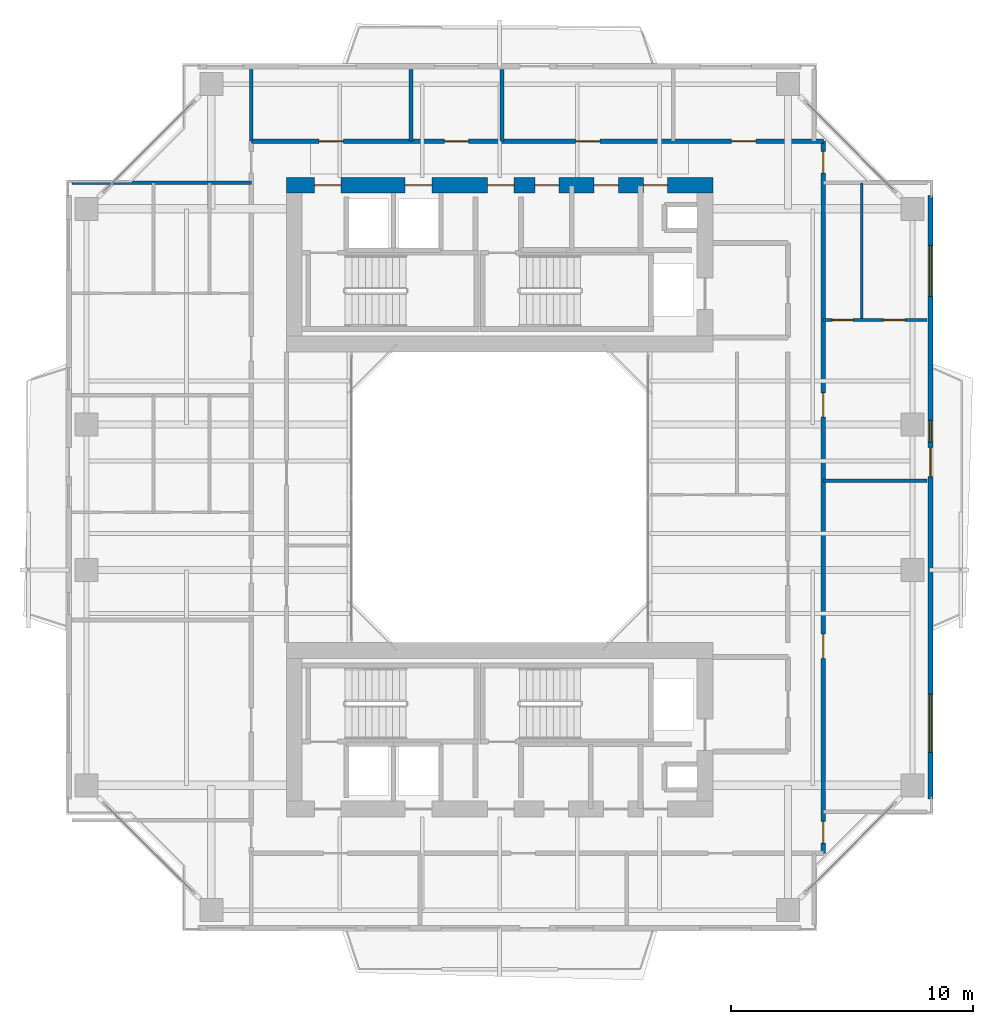
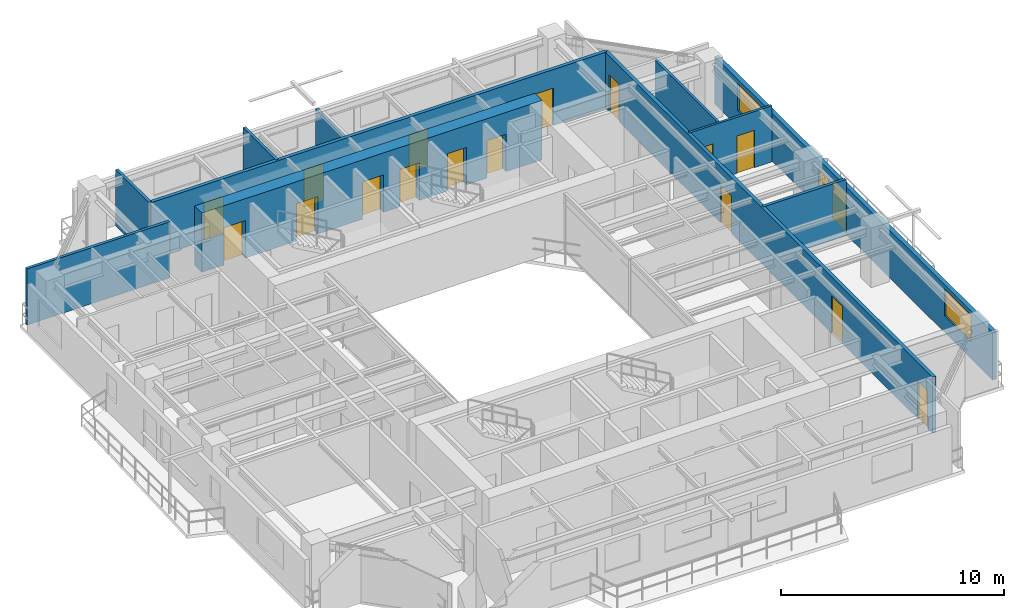
# One storey, part 13 of 17: 17 doors, 11 walls, 3 windows, 20 openings.
"""IFC4 building model written with IfcOpenShell, lengths in metres."""

import ifcopenshell
import ifcopenshell.guid

model = None  # the IFC model being written
_history = None  # IfcOwnerHistory: only IFC2X3 demands one
_inside = {}  # id of a spatial element -> (the spatial element, [elements in it])
_under = {}  # id of a project, library or spatial element -> (it, [spatial elements below it])
_declared = {}  # id of a project -> (the project, [libraries it declares])
_typed = {}  # id of a type object -> (the type object, [elements of that type])
_made_of = {}  # id of a material, layer set ... -> (it, [elements and type objects made of it])


def new_model(schema):
    """Start an empty IFC model of exactly this schema.

    Asked for "IFC4X3", IfcOpenShell would pick the latest addendum, in which some entities
    have other attributes; the version numbers below select the first issue.
    IFC2X3 requires an IfcOwnerHistory on every rooted entity: one is made here for all.
    """
    global model, _history
    if schema == "IFC4X3":
        model = ifcopenshell.file(schema_version=(4, 3, 0, 0))
    else:
        model = ifcopenshell.file(schema=schema)
    _inside.clear()
    _under.clear()
    _declared.clear()
    _typed.clear()
    _made_of.clear()
    _history = None
    if model.schema == "IFC2X3":
        org = make("IfcOrganization", Name="unknown")
        user = make(
            "IfcPersonAndOrganization",
            ThePerson=make("IfcPerson", FamilyName="unknown"),
            TheOrganization=org,
        )
        app = make(
            "IfcApplication",
            ApplicationDeveloper=org,
            Version="unknown",
            ApplicationFullName="unknown",
            ApplicationIdentifier="unknown",
        )
        _history = make(
            "IfcOwnerHistory",
            OwningUser=user,
            OwningApplication=app,
            ChangeAction="ADDED",
            CreationDate=0,
        )
    return model


def make(cls, **values):
    """One entity of the class cls with the attributes given. An attribute that is None is left unset."""
    return model.create_entity(
        cls, **{name: value for name, value in values.items() if value is not None}
    )


def rooted(cls, **values):
    """An entity with a GlobalId (a new one), such as an element, a storey or a relation."""
    return make(cls, GlobalId=ifcopenshell.guid.new(), OwnerHistory=_history, **values)


def si_unit(unit_type, name, prefix=None):
    """IfcSIUnit, for example si_unit("LENGTHUNIT", "METRE", prefix="MILLI")."""
    return make("IfcSIUnit", UnitType=unit_type, Prefix=prefix, Name=name)


def assignment(units):
    """IfcUnitAssignment: the units of a project."""
    return None if units is None else make("IfcUnitAssignment", Units=units)


def point(xyz):
    """IfcCartesianPoint."""
    return None if xyz is None else make("IfcCartesianPoint", Coordinates=xyz)


def direction(xyz):
    """IfcDirection."""
    return None if xyz is None else make("IfcDirection", DirectionRatios=xyz)


def frame(location, z_axis=None, x_axis=None):
    """IfcAxis2Placement3D, a coordinate frame: its origin and axes. An axis left out is left unset."""
    return make(
        "IfcAxis2Placement3D",
        Location=point(location),
        Axis=direction(z_axis),
        RefDirection=direction(x_axis),
    )


def frame_2d(location, x_axis=None):
    """IfcAxis2Placement2D, a coordinate frame in the plane: its origin and x axis."""
    return make(
        "IfcAxis2Placement2D", Location=point(location), RefDirection=direction(x_axis)
    )


def origin():
    """The frame at (0, 0, 0) with its axes left unset."""
    return frame((0.0, 0.0, 0.0))


def place(relative_to, where):
    """IfcLocalPlacement: puts the frame where relative to a parent placement (None: the world)."""
    return make(
        "IfcLocalPlacement", PlacementRelTo=relative_to, RelativePlacement=where
    )


def context(
    kind, dimensions, precision=None, world=None, true_north=None, identifier=None
):
    """IfcGeometricRepresentationContext, for example the 3D "Model" context."""
    return make(
        "IfcGeometricRepresentationContext",
        ContextIdentifier=identifier,
        ContextType=kind,
        CoordinateSpaceDimension=dimensions,
        Precision=precision,
        WorldCoordinateSystem=world,
        TrueNorth=true_north,
    )


def subcontext(parent, identifier, kind, view, scale=None):
    """IfcGeometricRepresentationSubContext, for example "Body" below "Model"."""
    return make(
        "IfcGeometricRepresentationSubContext",
        ContextIdentifier=identifier,
        ContextType=kind,
        ParentContext=parent,
        TargetScale=scale,
        TargetView=view,
    )


def project(units=None, contexts=None):
    """IfcProject with its units and contexts."""
    return rooted(
        "IfcProject",
        Name="project",
        RepresentationContexts=contexts,
        UnitsInContext=assignment(units),
    )


def spatial(cls, under=None, at=None, **own):
    """A site, building, storey or space (cls), placed at a placement, below another one or the project."""
    s = rooted(cls, ObjectPlacement=at, **own)
    if under is not None:
        _under.setdefault(under.id(), (under, []))[1].append(s)
    return s


def profile(cls, at=None, kind="AREA", **sizes):
    """A parametric profile (cls). Its sizes go by their IFC names, for example OverallWidth=200.0."""
    return make(cls, ProfileType=kind, Position=at, **sizes)


def rectangle(**sizes):
    """IfcRectangleProfileDef."""
    return profile("IfcRectangleProfileDef", **sizes)


def extrude(swept, where, along, depth):
    """IfcExtrudedAreaSolid: the profile swept, set in the frame where, extruded along a direction by depth."""
    return make(
        "IfcExtrudedAreaSolid",
        SweptArea=swept,
        Position=where,
        ExtrudedDirection=direction(along),
        Depth=depth,
    )


def shape(context_of_items, identifier, shape_type, items):
    """IfcShapeRepresentation: the items that make up one representation, for example the "Body"."""
    return make(
        "IfcShapeRepresentation",
        ContextOfItems=context_of_items,
        RepresentationIdentifier=identifier,
        RepresentationType=shape_type,
        Items=items,
    )


def source(mapping_origin, context_of_items, identifier, shape_type, items):
    """IfcRepresentationMap: a shape defined once, which mapped items show again and again."""
    return make(
        "IfcRepresentationMap",
        MappingOrigin=mapping_origin,
        MappedRepresentation=shape(context_of_items, identifier, shape_type, items),
    )


def transform(
    local_origin,
    x_axis=None,
    y_axis=None,
    z_axis=None,
    scale=None,
    scale2=None,
    scale3=None,
    uniform=True,
):
    """IfcCartesianTransformationOperator3D, or its non-uniform kind. x_axis, y_axis, z_axis: its Axis1, 2, 3."""
    if uniform:
        return make(
            "IfcCartesianTransformationOperator3D",
            Axis1=direction(x_axis),
            Axis2=direction(y_axis),
            LocalOrigin=point(local_origin),
            Scale=scale,
            Axis3=direction(z_axis),
        )
    return make(
        "IfcCartesianTransformationOperator3DnonUniform",
        Axis1=direction(x_axis),
        Axis2=direction(y_axis),
        LocalOrigin=point(local_origin),
        Scale=scale,
        Axis3=direction(z_axis),
        Scale2=scale2,
        Scale3=scale3,
    )


def mapped(mapping_source, mapping_target):
    """IfcMappedItem: shows the shape of a source again, moved by a transform."""
    return make(
        "IfcMappedItem", MappingSource=mapping_source, MappingTarget=mapping_target
    )


def material(Name=None, Category=None):
    """IfcMaterial."""
    return make("IfcMaterial", Name=Name, Category=Category)


def layer(
    of_material, thickness, ventilated=None, Name=None, Category=None, Priority=None
):
    """IfcMaterialLayer: one layer of a wall or slab, of a material (None: an air gap)."""
    return make(
        "IfcMaterialLayer",
        Material=of_material,
        LayerThickness=thickness,
        IsVentilated=ventilated,
        Name=Name,
        Category=Category,
        Priority=Priority,
    )


def layer_set(layers, Name=None):
    """IfcMaterialLayerSet."""
    return make("IfcMaterialLayerSet", MaterialLayers=layers, LayerSetName=Name)


def made_of(thing, what):
    """Note that an element or type object is made of a material, layer set ...; save() writes the relation."""
    if what is not None:
        _made_of.setdefault(what.id(), (what, []))[1].append(thing)
    return thing


def type_object(cls, material=None, **own):
    """A type object (cls), such as IfcWallType, which elements share."""
    return made_of(rooted(cls, **own), material)


def element(
    cls,
    number,
    at=None,
    inside=None,
    cuts=None,
    type_object=None,
    material=None,
    context=None,
    identifier="Body",
    shape_type=None,
    held_by="IfcProductDefinitionShape",
    body=None,
    shapes=None,
    **own,
):
    """One element of the class cls, such as IfcWall. Its Tag is "e" and its number.

    at: its placement. inside: the storey or other place that contains it. cuts: it is an
    opening in that element (IfcRelVoidsElement). A single representation is given by context,
    identifier, shape_type and body (its items); several are given by shapes. held_by: the class
    of the entity that holds the representations. save() writes the other relations.
    """
    e = rooted(cls, Tag="e%d" % number, ObjectPlacement=at, **own)
    if body is not None:
        shapes = [shape(context, identifier, shape_type, body)]
    if shapes is not None:
        e.Representation = make(held_by, Representations=shapes)
    if inside is not None:
        _inside.setdefault(inside.id(), (inside, []))[1].append(e)
    if cuts is not None:
        rooted(
            "IfcRelVoidsElement", RelatingBuildingElement=cuts, RelatedOpeningElement=e
        )
    if type_object is not None:
        _typed.setdefault(type_object.id(), (type_object, []))[1].append(e)
    return made_of(e, material)


def fill(opening, filler):
    """IfcRelFillsElement: the door or window that sits in an opening."""
    return rooted(
        "IfcRelFillsElement",
        RelatingOpeningElement=opening,
        RelatedBuildingElement=filler,
    )


def aggregate(whole, parts):
    """IfcRelAggregates: a whole, such as a stair, and the parts it consists of."""
    return rooted("IfcRelAggregates", RelatingObject=whole, RelatedObjects=parts)


def save(model, path):
    """Write the relations noted so far, then the file.

    IfcRelAggregates (storeys below a building ...), IfcRelContainedInSpatialStructure (elements
    in a storey), IfcRelDefinesByType, IfcRelAssociatesMaterial and IfcRelDeclares: one each for
    every whole, place, type object, material and project.
    """
    for whole, parts in _under.values():
        aggregate(whole, parts)
    for where, things in _inside.values():
        rooted(
            "IfcRelContainedInSpatialStructure",
            RelatedElements=things,
            RelatingStructure=where,
        )
    for kind, things in _typed.values():
        rooted("IfcRelDefinesByType", RelatedObjects=things, RelatingType=kind)
    for what, things in _made_of.values():
        rooted("IfcRelAssociatesMaterial", RelatedObjects=things, RelatingMaterial=what)
    for by, libraries in _declared.values():
        rooted("IfcRelDeclares", RelatingContext=by, RelatedDefinitions=libraries)
    model.write(path)


model = new_model("IFC4")

# Units and contexts
model_context = context("Model", 3, precision=1e-05, world=origin(), true_north=direction((0.0, 1.0)))
body_context = subcontext(model_context, "Body", "Model", "MODEL_VIEW")
ifc_project = project(units=[si_unit("LENGTHUNIT", "METRE"), si_unit("AREAUNIT", "SQUARE_METRE"), si_unit("VOLUMEUNIT", "CUBIC_METRE"), si_unit("PLANEANGLEUNIT", "RADIAN"), si_unit("MASSUNIT", "GRAM", prefix="KILO"), si_unit("THERMODYNAMICTEMPERATUREUNIT", "KELVIN"), si_unit("POWERUNIT", "WATT")], contexts=[model_context])

# Site, building, storey
site_placement = place(None, origin())
site = spatial("IfcSite", under=ifc_project, at=site_placement, CompositionType="ELEMENT")
building_placement = place(site_placement, origin())
building = spatial("IfcBuilding", under=site, at=building_placement, Name="Qiaomeng Ring Towers", CompositionType="ELEMENT")
storey_placement = place(building_placement, frame((0.0, 0.0, 150.25)))
storey = spatial("IfcBuildingStorey", under=building, at=storey_placement, Name="L43", CompositionType="ELEMENT", Elevation=150.25)

# Wall, openings, windows, door
ifc_material_1 = material(Name="Precast concrete C40", Category="concrete")
ifc_layer_1 = layer(ifc_material_1, 0.219970703125, Name="Precast concrete C40")
ifc_layer_set_1 = layer_set([ifc_layer_1], Name="Precast concrete C40")
wall_type_1 = type_object("IfcWallType", Name="ARC-WL-EW2", PredefinedType="STANDARD", material=ifc_layer_set_1)
wall_1_placement = place(storey_placement, frame((36.7900390625, 10.550048828125, 0.0), z_axis=(0.0, 0.0, 1.0), x_axis=(0.0, 1.0, 0.0)))
wall_1 = element("IfcWall", 1, at=wall_1_placement, inside=storey, type_object=wall_type_1, Name="L43 Tower 1 E Exterior Wall", PredefinedType="STANDARD", context=body_context, shape_type="SweptSolid", body=[
    extrude(rectangle(XDim=24.89990234375, YDim=0.219970703125, at=frame_2d((12.449951171875, 0.0))), origin(), (0.0, 0.0, 1.0), 2.610107421875),
])
opening_1_placement = place(wall_1_placement, frame((13.300048828125, 0.0, 0.0)))
opening_1 = element("IfcOpeningElement", 2, at=opening_1_placement, cuts=wall_1, Name="Opening BD1", PredefinedType="OPENING", context=body_context, shape_type="SweptSolid", body=[
    extrude(rectangle(XDim=1.199951171875, YDim=2.10009765625, at=frame_2d((0.60009765625, 1.050048828125))), frame((0.0, 0.119873046875, 0.0), z_axis=(0.0, -1.0, 0.0), x_axis=(1.0, 0.0, 0.0)), (0.0, 0.0, 1.0), 0.239990234375),
])
opening_2_placement = place(wall_1_placement, frame((1.912109375, 0.0, 0.89990234375)))
opening_2 = element("IfcOpeningElement", 3, at=opening_2_placement, cuts=wall_1, Name="Opening WN6", PredefinedType="OPENING", context=body_context, shape_type="SweptSolid", body=[
    extrude(rectangle(XDim=2.39990234375, YDim=1.47998046875, at=frame_2d((1.199951171875, 0.739990234375))), frame((0.0, 0.119873046875, 0.0), z_axis=(0.0, -1.0, 0.0), x_axis=(1.0, 0.0, 0.0)), (0.0, 0.0, 1.0), 0.239990234375),
])
opening_3_placement = place(wall_1_placement, frame((20.737060546875, 0.0, 0.89990234375)))
opening_3 = element("IfcOpeningElement", 4, at=opening_3_placement, cuts=wall_1, Name="Opening WN4", PredefinedType="OPENING", context=body_context, shape_type="SweptSolid", body=[
    extrude(rectangle(XDim=2.10009765625, YDim=1.47998046875, at=frame_2d((1.050048828125, 0.739990234375))), frame((0.0, 0.119873046875, 0.0), z_axis=(0.0, -1.0, 0.0), x_axis=(1.0, 0.0, 0.0)), (0.0, 0.0, 1.0), 0.239990234375),
])
opening_4_placement = place(wall_1_placement, frame((14.719970703125, 0.0, 0.89990234375)))
opening_4 = element("IfcOpeningElement", 5, at=opening_4_placement, cuts=wall_1, Name="Opening WN5", PredefinedType="OPENING", context=body_context, shape_type="SweptSolid", body=[
    extrude(rectangle(XDim=0.89990234375, YDim=1.199951171875, at=frame_2d((0.449951171875, 0.60009765625))), frame((0.0, 0.119873046875, 0.0), z_axis=(0.0, -1.0, 0.0), x_axis=(1.0, 0.0, 0.0)), (0.0, 0.0, 1.0), 0.239990234375),
])
ifc_material_2 = material(Name="Low-E dark-grey laminated double glazing", Category="glass")
window_type_1 = type_object("IfcWindowType", Name="ARC-WN-4", PartitioningType="TRIPLE_PANEL_VERTICAL", PredefinedType="WINDOW", material=ifc_material_2)
shared_shape_1 = source(origin(), body_context, "Body", "SweptSolid", [
    extrude(rectangle(XDim=2.10009765625, YDim=1.47998046875, at=frame_2d((1.050048828125, 0.739990234375))), frame((0.0, 0.030029296875, 0.0), z_axis=(0.0, -1.0, 0.0), x_axis=(1.0, 0.0, 0.0)), (0.0, 0.0, 1.0), 0.06005859375),
])
window_1_placement = place(opening_3_placement, origin())
window_1 = element("IfcWindow", 6, at=window_1_placement, inside=storey, type_object=window_type_1, Name="L43 Exterior Window WN4", OverallHeight=1.47998046875, OverallWidth=2.10009765625, PartitioningType="TRIPLE_PANEL_VERTICAL", PredefinedType="WINDOW", context=body_context, shape_type="MappedRepresentation", body=[
    mapped(shared_shape_1, transform((0.0, 0.0, 0.0), x_axis=(1.0, 0.0, 0.0), y_axis=(0.0, 1.0, 0.0), z_axis=(0.0, 0.0, 1.0), scale=1.0)),
])
fill(opening_3, window_1)
window_type_2 = type_object("IfcWindowType", Name="ARC-WN-6", PartitioningType="TRIPLE_PANEL_VERTICAL", PredefinedType="WINDOW", material=ifc_material_2)
shared_shape_2 = source(origin(), body_context, "Body", "SweptSolid", [
    extrude(rectangle(XDim=2.39990234375, YDim=1.47998046875, at=frame_2d((1.199951171875, 0.739990234375))), frame((0.0, 0.030029296875, 0.0), z_axis=(0.0, -1.0, 0.0), x_axis=(1.0, 0.0, 0.0)), (0.0, 0.0, 1.0), 0.06005859375),
])
window_2_placement = place(opening_2_placement, origin())
window_2 = element("IfcWindow", 7, at=window_2_placement, inside=storey, type_object=window_type_2, Name="L43 Exterior Window WN6", OverallHeight=1.47998046875, OverallWidth=2.39990234375, PartitioningType="TRIPLE_PANEL_VERTICAL", PredefinedType="WINDOW", context=body_context, shape_type="MappedRepresentation", body=[
    mapped(shared_shape_2, transform((0.0, 0.0, 0.0), x_axis=(1.0, 0.0, 0.0), y_axis=(0.0, 1.0, 0.0), z_axis=(0.0, 0.0, 1.0), scale=1.0)),
])
fill(opening_2, window_2)
door_type_1 = type_object("IfcDoorType", Name="ARC-DR-BD1", OperationType="NOTDEFINED", PredefinedType="DOOR", material=ifc_material_2)
shared_shape_3 = source(origin(), body_context, "Body", "SweptSolid", [
    extrude(rectangle(XDim=1.199951171875, YDim=2.10009765625, at=frame_2d((0.60009765625, 1.050048828125))), frame((0.0, 0.02490234375, 0.0), z_axis=(0.0, -1.0, 0.0), x_axis=(1.0, 0.0, 0.0)), (0.0, 0.0, 1.0), 0.050048828125),
])
door_1_placement = place(opening_1_placement, origin())
door_1 = element("IfcDoor", 8, at=door_1_placement, inside=storey, type_object=door_type_1, Name="L43 E Balcony Glazed Door", OperationType="SINGLE_SWING_LEFT", OverallHeight=2.10009765625, OverallWidth=1.199951171875, PredefinedType="DOOR", context=body_context, shape_type="MappedRepresentation", body=[
    mapped(shared_shape_3, transform((0.0, 0.0, 0.0), x_axis=(1.0, 0.0, 0.0), y_axis=(0.0, 1.0, 0.0), z_axis=(0.0, 0.0, 1.0), scale=1.0)),
])
fill(opening_1, door_1)
window_type_3 = type_object("IfcWindowType", Name="ARC-WN-5", PartitioningType="SINGLE_PANEL", PredefinedType="WINDOW", material=ifc_material_2)
shared_shape_4 = source(origin(), body_context, "Body", "SweptSolid", [
    extrude(rectangle(XDim=0.89990234375, YDim=1.199951171875, at=frame_2d((0.449951171875, 0.60009765625))), frame((0.0, 0.030029296875, 0.0), z_axis=(0.0, -1.0, 0.0), x_axis=(1.0, 0.0, 0.0)), (0.0, 0.0, 1.0), 0.06005859375),
])
window_3_placement = place(opening_4_placement, origin())
window_3 = element("IfcWindow", 9, at=window_3_placement, inside=storey, type_object=window_type_3, Name="L43 Exterior Window WN5", OverallHeight=1.199951171875, OverallWidth=0.89990234375, PartitioningType="SINGLE_PANEL", PredefinedType="WINDOW", context=body_context, shape_type="MappedRepresentation", body=[
    mapped(shared_shape_4, transform((0.0, 0.0, 0.0), x_axis=(1.0, 0.0, 0.0), y_axis=(0.0, 1.0, 0.0), z_axis=(0.0, 0.0, 1.0), scale=1.0)),
])
fill(opening_4, window_3)

# Wall, openings, doors
ifc_material_3 = material(Name="Autoclaved aerated concrete block", Category="concrete")
ifc_layer_2 = layer(ifc_material_3, 0.179931640625, Name="Autoclaved aerated concrete block")
ifc_layer_set_2 = layer_set([ifc_layer_2], Name="Autoclaved aerated concrete block")
wall_type_2 = type_object("IfcWallType", Name="ARC-WL-PW2", PredefinedType="PARTITIONING", material=ifc_layer_set_2)
wall_2_placement = place(storey_placement, frame((8.75, 37.699951171875, 0.0), z_axis=(0.0, 0.0, 1.0), x_axis=(1.0, 0.0, 0.0)))
wall_2 = element("IfcWall", 10, at=wall_2_placement, inside=storey, type_object=wall_type_2, Name="L43 Interior Wall PW2", PredefinedType="PARTITIONING", context=body_context, shape_type="SweptSolid", body=[
    extrude(rectangle(XDim=23.610107421875, YDim=0.179931640625, at=frame_2d((11.80517578125, 0.0))), origin(), (0.0, 0.0, 1.0), 3.070068359375),
])
opening_5_placement = place(wall_2_placement, frame((2.794921875, 0.0, 0.0)))
opening_5 = element("IfcOpeningElement", 11, at=opening_5_placement, cuts=wall_2, Name="Opening FD4", PredefinedType="OPENING", context=body_context, shape_type="SweptSolid", body=[
    extrude(rectangle(XDim=1.0, YDim=2.050048828125, at=frame_2d((0.5, 1.02490234375))), frame((0.0, 0.099853515625, 0.0), z_axis=(0.0, -1.0, 0.0), x_axis=(1.0, 0.0, 0.0)), (0.0, 0.0, 1.0), 0.199951171875),
])
opening_6_placement = place(wall_2_placement, frame((7.969970703125, 0.0, 0.0)))
opening_6 = element("IfcOpeningElement", 12, at=opening_6_placement, cuts=wall_2, Name="Opening FD4", PredefinedType="OPENING", context=body_context, shape_type="SweptSolid", body=[
    extrude(rectangle(XDim=1.0, YDim=2.050048828125, at=frame_2d((0.5, 1.02490234375))), frame((0.0, 0.099853515625, 0.0), z_axis=(0.0, -1.0, 0.0), x_axis=(1.0, 0.0, 0.0)), (0.0, 0.0, 1.0), 0.199951171875),
])
opening_7_placement = place(wall_2_placement, frame((13.385009765625, 0.0, 0.0)))
opening_7 = element("IfcOpeningElement", 13, at=opening_7_placement, cuts=wall_2, Name="Opening FD4", PredefinedType="OPENING", context=body_context, shape_type="SweptSolid", body=[
    extrude(rectangle(XDim=1.0, YDim=2.050048828125, at=frame_2d((0.5, 1.02490234375))), frame((0.0, 0.099853515625, 0.0), z_axis=(0.0, -1.0, 0.0), x_axis=(1.0, 0.0, 0.0)), (0.0, 0.0, 1.0), 0.199951171875),
])
opening_8_placement = place(wall_2_placement, frame((19.824951171875, 0.0, 0.0)))
opening_8 = element("IfcOpeningElement", 14, at=opening_8_placement, cuts=wall_2, Name="Opening FD4", PredefinedType="OPENING", context=body_context, shape_type="SweptSolid", body=[
    extrude(rectangle(XDim=1.0, YDim=2.050048828125, at=frame_2d((0.5, 1.02490234375))), frame((0.0, 0.099853515625, 0.0), z_axis=(0.0, -1.0, 0.0), x_axis=(1.0, 0.0, 0.0)), (0.0, 0.0, 1.0), 0.199951171875),
])
ifc_material_4 = material(Name="Engineered fire-rated oak timber", Category="wood")
door_type_2 = type_object("IfcDoorType", Name="ARC-DR-FD4", OperationType="NOTDEFINED", PredefinedType="DOOR", material=ifc_material_4)
shared_shape_5 = source(origin(), body_context, "Body", "SweptSolid", [
    extrude(rectangle(XDim=1.0, YDim=2.050048828125, at=frame_2d((0.5, 1.02490234375))), frame((0.0, 0.02490234375, 0.0), z_axis=(0.0, -1.0, 0.0), x_axis=(1.0, 0.0, 0.0)), (0.0, 0.0, 1.0), 0.050048828125),
])
door_2_placement = place(opening_5_placement, origin())
door_2 = element("IfcDoor", 15, at=door_2_placement, inside=storey, type_object=door_type_2, Name="L43 Door FD4", OperationType="SINGLE_SWING_RIGHT", OverallHeight=2.050048828125, OverallWidth=1.0, PredefinedType="DOOR", context=body_context, shape_type="MappedRepresentation", body=[
    mapped(shared_shape_5, transform((0.0, 0.0, 0.0), x_axis=(1.0, 0.0, 0.0), y_axis=(0.0, 1.0, 0.0), z_axis=(0.0, 0.0, 1.0), scale=1.0)),
])
fill(opening_5, door_2)
door_3_placement = place(opening_6_placement, origin())
door_3 = element("IfcDoor", 16, at=door_3_placement, inside=storey, type_object=door_type_2, Name="L43 Door FD4", OperationType="SINGLE_SWING_LEFT", OverallHeight=2.050048828125, OverallWidth=1.0, PredefinedType="DOOR", context=body_context, shape_type="MappedRepresentation", body=[
    mapped(shared_shape_5, transform((0.0, 0.0, 0.0), x_axis=(1.0, 0.0, 0.0), y_axis=(0.0, 1.0, 0.0), z_axis=(0.0, 0.0, 1.0), scale=1.0)),
])
fill(opening_6, door_3)
door_4_placement = place(opening_7_placement, origin())
door_4 = element("IfcDoor", 17, at=door_4_placement, inside=storey, type_object=door_type_2, Name="L43 Door FD4", OperationType="SINGLE_SWING_RIGHT", OverallHeight=2.050048828125, OverallWidth=1.0, PredefinedType="DOOR", context=body_context, shape_type="MappedRepresentation", body=[
    mapped(shared_shape_5, transform((0.0, 0.0, 0.0), x_axis=(1.0, 0.0, 0.0), y_axis=(0.0, 1.0, 0.0), z_axis=(0.0, 0.0, 1.0), scale=1.0)),
])
fill(opening_7, door_4)
door_5_placement = place(opening_8_placement, origin())
door_5 = element("IfcDoor", 18, at=door_5_placement, inside=storey, type_object=door_type_2, Name="L43 Door FD4", OperationType="SINGLE_SWING_LEFT", OverallHeight=2.050048828125, OverallWidth=1.0, PredefinedType="DOOR", context=body_context, shape_type="MappedRepresentation", body=[
    mapped(shared_shape_5, transform((0.0, 0.0, 0.0), x_axis=(1.0, 0.0, 0.0), y_axis=(0.0, 1.0, 0.0), z_axis=(0.0, 0.0, 1.0), scale=1.0)),
])
fill(opening_8, door_5)

wall_3_placement = place(storey_placement, frame((32.360107421875, 8.300048828125, 0.0), z_axis=(0.0, 0.0, 1.0), x_axis=(0.0, 1.0, 0.0)))
wall_3 = element("IfcWall", 19, at=wall_3_placement, inside=storey, type_object=wall_type_2, Name="L43 Interior Wall PW2", PredefinedType="PARTITIONING", context=body_context, shape_type="SweptSolid", body=[
    extrude(rectangle(XDim=29.39990234375, YDim=0.179931640625, at=frame_2d((14.699951171875, 0.0))), origin(), (0.0, 0.0, 1.0), 3.070068359375),
])
opening_9_placement = place(wall_3_placement, frame((28.080078125, 0.0, 0.0)))
opening_9 = element("IfcOpeningElement", 20, at=opening_9_placement, cuts=wall_3, Name="Opening ID1", PredefinedType="OPENING", context=body_context, shape_type="SweptSolid", body=[
    extrude(rectangle(XDim=0.89990234375, YDim=2.050048828125, at=frame_2d((0.449951171875, 1.02490234375))), frame((0.0, 0.099853515625, 0.0), z_axis=(0.0, -1.0, 0.0), x_axis=(1.0, 0.0, 0.0)), (0.0, 0.0, 1.0), 0.199951171875),
])
opening_10_placement = place(wall_3_placement, frame((0.419921875, 0.0, 0.0)))
opening_10 = element("IfcOpeningElement", 21, at=opening_10_placement, cuts=wall_3, Name="Opening ID1", PredefinedType="OPENING", context=body_context, shape_type="SweptSolid", body=[
    extrude(rectangle(XDim=0.89990234375, YDim=2.050048828125, at=frame_2d((0.449951171875, 1.02490234375))), frame((0.0, 0.099853515625, 0.0), z_axis=(0.0, -1.0, 0.0), x_axis=(1.0, 0.0, 0.0)), (0.0, 0.0, 1.0), 0.199951171875),
])
opening_11_placement = place(wall_3_placement, frame((8.050048828125, 0.0, 0.0)))
opening_11 = element("IfcOpeningElement", 22, at=opening_11_placement, cuts=wall_3, Name="Opening FD4", PredefinedType="OPENING", context=body_context, shape_type="SweptSolid", body=[
    extrude(rectangle(XDim=1.0, YDim=2.050048828125, at=frame_2d((0.5, 1.02490234375))), frame((0.0, 0.099853515625, 0.0), z_axis=(0.0, -1.0, 0.0), x_axis=(1.0, 0.0, 0.0)), (0.0, 0.0, 1.0), 0.199951171875),
])
opening_12_placement = place(wall_3_placement, frame((18.010009765625, 0.0, 0.0)))
opening_12 = element("IfcOpeningElement", 23, at=opening_12_placement, cuts=wall_3, Name="Opening FD4", PredefinedType="OPENING", context=body_context, shape_type="SweptSolid", body=[
    extrude(rectangle(XDim=1.0, YDim=2.050048828125, at=frame_2d((0.5, 1.02490234375))), frame((0.0, 0.099853515625, 0.0), z_axis=(0.0, -1.0, 0.0), x_axis=(1.0, 0.0, 0.0)), (0.0, 0.0, 1.0), 0.199951171875),
])
door_6_placement = place(opening_11_placement, origin())
door_6 = element("IfcDoor", 24, at=door_6_placement, inside=storey, type_object=door_type_2, Name="L43 Door FD4", OperationType="SINGLE_SWING_RIGHT", OverallHeight=2.050048828125, OverallWidth=1.0, PredefinedType="DOOR", context=body_context, shape_type="MappedRepresentation", body=[
    mapped(shared_shape_5, transform((0.0, 0.0, 0.0), x_axis=(1.0, 0.0, 0.0), y_axis=(0.0, 1.0, 0.0), z_axis=(0.0, 0.0, 1.0), scale=1.0)),
])
fill(opening_11, door_6)
door_7_placement = place(opening_12_placement, origin())
door_7 = element("IfcDoor", 25, at=door_7_placement, inside=storey, type_object=door_type_2, Name="L43 Door FD4", OperationType="SINGLE_SWING_LEFT", OverallHeight=2.050048828125, OverallWidth=1.0, PredefinedType="DOOR", context=body_context, shape_type="MappedRepresentation", body=[
    mapped(shared_shape_5, transform((0.0, 0.0, 0.0), x_axis=(1.0, 0.0, 0.0), y_axis=(0.0, 1.0, 0.0), z_axis=(0.0, 0.0, 1.0), scale=1.0)),
])
fill(opening_12, door_7)
ifc_material_5 = material(Name="Engineered oak timber", Category="wood")
door_type_3 = type_object("IfcDoorType", Name="ARC-DR-ID1", OperationType="NOTDEFINED", PredefinedType="DOOR", material=ifc_material_5)
shared_shape_6 = source(origin(), body_context, "Body", "SweptSolid", [
    extrude(rectangle(XDim=0.89990234375, YDim=2.050048828125, at=frame_2d((0.449951171875, 1.02490234375))), frame((0.0, 0.02490234375, 0.0), z_axis=(0.0, -1.0, 0.0), x_axis=(1.0, 0.0, 0.0)), (0.0, 0.0, 1.0), 0.050048828125),
])
door_8_placement = place(opening_9_placement, origin())
door_8 = element("IfcDoor", 26, at=door_8_placement, inside=storey, type_object=door_type_3, Name="L43 Door ID1", OperationType="SINGLE_SWING_RIGHT", OverallHeight=2.050048828125, OverallWidth=0.89990234375, PredefinedType="DOOR", context=body_context, shape_type="MappedRepresentation", body=[
    mapped(shared_shape_6, transform((0.0, 0.0, 0.0), x_axis=(1.0, 0.0, 0.0), y_axis=(0.0, 1.0, 0.0), z_axis=(0.0, 0.0, 1.0), scale=1.0)),
])
fill(opening_9, door_8)
door_9_placement = place(opening_10_placement, origin())
door_9 = element("IfcDoor", 27, at=door_9_placement, inside=storey, type_object=door_type_3, Name="L43 Door ID1", OperationType="SINGLE_SWING_LEFT", OverallHeight=2.050048828125, OverallWidth=0.89990234375, PredefinedType="DOOR", context=body_context, shape_type="MappedRepresentation", body=[
    mapped(shared_shape_6, transform((0.0, 0.0, 0.0), x_axis=(1.0, 0.0, 0.0), y_axis=(0.0, 1.0, 0.0), z_axis=(0.0, 0.0, 1.0), scale=1.0)),
])
fill(opening_10, door_9)

# Walls
ifc_material_6 = material(Name="Gypsum fireboard steel-stud partition", Category="steel")
ifc_layer_3 = layer(ifc_material_6, 0.14990234375, Name="Gypsum fireboard steel-stud partition")
ifc_layer_set_3 = layer_set([ifc_layer_3], Name="Gypsum fireboard steel-stud partition")
wall_type_3 = type_object("IfcWallType", Name="ARC-WL-PW3", PredefinedType="PARTITIONING", material=ifc_layer_set_3)
wall_4_placement = place(storey_placement, frame((15.340087890625, 37.699951171875, 0.0), z_axis=(0.0, 0.0, 1.0), x_axis=(0.0, 1.0, 0.0)))
element("IfcWall", 28, at=wall_4_placement, inside=storey, type_object=wall_type_3, Name="L43 Interior Wall PW3", PredefinedType="PARTITIONING", context=body_context, shape_type="SweptSolid", body=[
    extrude(rectangle(XDim=2.949951171875, YDim=0.14990234375, at=frame_2d((1.47509765625, 0.0))), origin(), (0.0, 0.0, 1.0), 3.070068359375),
])
wall_5_placement = place(storey_placement, frame((19.10009765625, 37.699951171875, 0.0), z_axis=(0.0, 0.0, 1.0), x_axis=(0.0, 1.0, 0.0)))
element("IfcWall", 29, at=wall_5_placement, inside=storey, type_object=wall_type_3, Name="L43 Interior Wall PW3", PredefinedType="PARTITIONING", context=body_context, shape_type="SweptSolid", body=[
    extrude(rectangle(XDim=2.949951171875, YDim=0.14990234375, at=frame_2d((1.47509765625, 0.0))), origin(), (0.0, 0.0, 1.0), 2.764892578125),
])
wall_6_placement = place(storey_placement, frame((8.75, 37.699951171875, 0.0), z_axis=(0.0, 0.0, 1.0), x_axis=(0.0, 1.0, 0.0)))
element("IfcWall", 30, at=wall_6_placement, inside=storey, type_object=wall_type_3, Name="L43 Interior Wall PW3", PredefinedType="PARTITIONING", context=body_context, shape_type="SweptSolid", body=[
    extrude(rectangle(XDim=2.949951171875, YDim=0.14990234375, at=frame_2d((1.47509765625, 0.0))), origin(), (0.0, 0.0, 1.0), 3.070068359375),
])
wall_7_placement = place(storey_placement, frame((1.35009765625, 35.97998046875, 0.0), z_axis=(0.0, 0.0, 1.0), x_axis=(1.0, 0.0, 0.0)))
element("IfcWall", 31, at=wall_7_placement, inside=storey, type_object=wall_type_3, Name="L43 Interior Wall PW3", PredefinedType="PARTITIONING", context=body_context, shape_type="SweptSolid", body=[
    extrude(rectangle(XDim=7.39990234375, YDim=0.14990234375, at=frame_2d((3.699951171875, 0.0))), origin(), (0.0, 0.0, 1.0), 3.070068359375),
])
wall_8_placement = place(storey_placement, frame((32.360107421875, 23.679931640625, 0.0), z_axis=(0.0, 0.0, 1.0), x_axis=(1.0, 0.0, 0.0)))
element("IfcWall", 32, at=wall_8_placement, inside=storey, type_object=wall_type_3, Name="L43 Interior Wall PW3", PredefinedType="PARTITIONING", context=body_context, shape_type="SweptSolid", body=[
    extrude(rectangle(XDim=4.289794921875, YDim=0.14990234375, at=frame_2d((2.14501953125, 0.0))), origin(), (0.0, 0.0, 1.0), 3.070068359375),
])

# Wall, openings, doors
ifc_material_7 = material(Name="Moisture-resistant gypsum steel-stud partition", Category="steel")
ifc_layer_4 = layer(ifc_material_7, 0.1201171875, Name="Moisture-resistant gypsum steel-stud partition")
ifc_layer_set_4 = layer_set([ifc_layer_4], Name="Moisture-resistant gypsum steel-stud partition")
wall_type_4 = type_object("IfcWallType", Name="ARC-WL-PW4", PredefinedType="PLUMBINGWALL", material=ifc_layer_set_4)
wall_9_placement = place(storey_placement, frame((32.360107421875, 30.320068359375, 0.0), z_axis=(0.0, 0.0, 1.0), x_axis=(1.0, 0.0, 0.0)))
wall_9 = element("IfcWall", 33, at=wall_9_placement, inside=storey, type_object=wall_type_4, Name="L43 Interior Wall PW4", PredefinedType="PLUMBINGWALL", context=body_context, shape_type="SweptSolid", body=[
    extrude(rectangle(XDim=4.289794921875, YDim=0.1201171875, at=frame_2d((2.14501953125, 0.0))), origin(), (0.0, 0.0, 1.0), 3.070068359375),
])
opening_13_placement = place(wall_9_placement, frame((0.3798828125, 0.0, 0.0)))
opening_13 = element("IfcOpeningElement", 34, at=opening_13_placement, cuts=wall_9, Name="Opening ID2", PredefinedType="OPENING", context=body_context, shape_type="SweptSolid", body=[
    extrude(rectangle(XDim=0.85009765625, YDim=2.050048828125, at=frame_2d((0.425048828125, 1.02490234375))), frame((0.0, 0.070068359375, 0.0), z_axis=(0.0, -1.0, 0.0), x_axis=(1.0, 0.0, 0.0)), (0.0, 0.0, 1.0), 0.14013671875),
])
opening_14_placement = place(wall_9_placement, frame((2.47998046875, 0.0, 0.0)))
opening_14 = element("IfcOpeningElement", 35, at=opening_14_placement, cuts=wall_9, Name="Opening ID1", PredefinedType="OPENING", context=body_context, shape_type="SweptSolid", body=[
    extrude(rectangle(XDim=0.89990234375, YDim=2.050048828125, at=frame_2d((0.449951171875, 1.02490234375))), frame((0.0, 0.070068359375, 0.0), z_axis=(0.0, -1.0, 0.0), x_axis=(1.0, 0.0, 0.0)), (0.0, 0.0, 1.0), 0.14013671875),
])
ifc_material_8 = material(Name="Moisture-resistant engineered timber", Category="wood")
door_type_4 = type_object("IfcDoorType", Name="ARC-DR-ID2", OperationType="NOTDEFINED", PredefinedType="DOOR", material=ifc_material_8)
shared_shape_7 = source(origin(), body_context, "Body", "SweptSolid", [
    extrude(rectangle(XDim=0.85009765625, YDim=2.050048828125, at=frame_2d((0.425048828125, 1.02490234375))), frame((0.0, 0.02490234375, 0.0), z_axis=(0.0, -1.0, 0.0), x_axis=(1.0, 0.0, 0.0)), (0.0, 0.0, 1.0), 0.050048828125),
])
door_10_placement = place(opening_13_placement, origin())
door_10 = element("IfcDoor", 36, at=door_10_placement, inside=storey, type_object=door_type_4, Name="L43 Door ID2", OperationType="SINGLE_SWING_LEFT", OverallHeight=2.050048828125, OverallWidth=0.85009765625, PredefinedType="DOOR", context=body_context, shape_type="MappedRepresentation", body=[
    mapped(shared_shape_7, transform((0.0, 0.0, 0.0), x_axis=(1.0, 0.0, 0.0), y_axis=(0.0, 1.0, 0.0), z_axis=(0.0, 0.0, 1.0), scale=1.0)),
])
fill(opening_13, door_10)
door_11_placement = place(opening_14_placement, origin())
door_11 = element("IfcDoor", 37, at=door_11_placement, inside=storey, type_object=door_type_3, Name="L43 Door ID1", OperationType="SINGLE_SWING_RIGHT", OverallHeight=2.050048828125, OverallWidth=0.89990234375, PredefinedType="DOOR", context=body_context, shape_type="MappedRepresentation", body=[
    mapped(shared_shape_6, transform((0.0, 0.0, 0.0), x_axis=(1.0, 0.0, 0.0), y_axis=(0.0, 1.0, 0.0), z_axis=(0.0, 0.0, 1.0), scale=1.0)),
])
fill(opening_14, door_11)

# Wall
wall_10_placement = place(storey_placement, frame((33.949951171875, 30.320068359375, 0.0), z_axis=(0.0, 0.0, 1.0), x_axis=(0.0, 1.0, 0.0)))
element("IfcWall", 38, at=wall_10_placement, inside=storey, type_object=wall_type_4, Name="L43 Interior Wall PW4", PredefinedType="PLUMBINGWALL", context=body_context, shape_type="SweptSolid", body=[
    extrude(rectangle(XDim=5.659912109375, YDim=0.1201171875, at=frame_2d((2.830078125, 0.0))), origin(), (0.0, 0.0, 1.0), 3.070068359375),
])

# Wall, openings, doors
ifc_material_9 = material(Name="Concrete C50", Category="concrete")
ifc_layer_5 = layer(ifc_material_9, 0.64990234375, Name="Concrete C50")
ifc_layer_set_5 = layer_set([ifc_layer_5], Name="Concrete C50")
wall_type_5 = type_object("IfcWallType", Name="STR-WL-SW2B", PredefinedType="SHEAR", material=ifc_layer_set_5)
wall_11_placement = place(storey_placement, frame((10.199951171875, 35.875, 0.0), z_axis=(0.0, 0.0, 1.0), x_axis=(1.0, 0.0, 0.0)))
wall_11 = element("IfcWall", 39, at=wall_11_placement, inside=storey, type_object=wall_type_5, Name="L43 T1NC north core shear wall", PredefinedType="SHEAR", context=body_context, shape_type="SweptSolid", body=[
    extrude(rectangle(XDim=17.60009765625, YDim=0.64990234375, at=frame_2d((8.800048828125, 0.0))), origin(), (0.0, 0.0, 1.0), 3.25),
])
opening_15_placement = place(wall_11_placement, frame((1.14990234375, 0.0, 0.0)))
opening_15 = element("IfcOpeningElement", 40, at=opening_15_placement, cuts=wall_11, Name="Opening FD3", PredefinedType="OPENING", context=body_context, shape_type="SweptSolid", body=[
    extrude(rectangle(XDim=1.10009765625, YDim=2.050048828125, at=frame_2d((0.550048828125, 1.02490234375))), frame((0.0, 0.3349609375, 0.0), z_axis=(0.0, -1.0, 0.0), x_axis=(1.0, 0.0, 0.0)), (0.0, 0.0, 1.0), 0.669921875),
])
opening_16_placement = place(wall_11_placement, frame((8.300048828125, 0.0, 0.0)))
opening_16 = element("IfcOpeningElement", 41, at=opening_16_placement, cuts=wall_11, Name="Opening FD3", PredefinedType="OPENING", context=body_context, shape_type="SweptSolid", body=[
    extrude(rectangle(XDim=1.10009765625, YDim=2.050048828125, at=frame_2d((0.550048828125, 1.02490234375))), frame((0.0, 0.3349609375, 0.0), z_axis=(0.0, -1.0, 0.0), x_axis=(1.0, 0.0, 0.0)), (0.0, 0.0, 1.0), 0.669921875),
])
opening_17_placement = place(wall_11_placement, frame((4.89990234375, 0.0, 0.0)))
opening_17 = element("IfcOpeningElement", 42, at=opening_17_placement, cuts=wall_11, Name="Opening LD1", PredefinedType="OPENING", context=body_context, shape_type="SweptSolid", body=[
    extrude(rectangle(XDim=1.10009765625, YDim=2.050048828125, at=frame_2d((0.550048828125, 1.02490234375))), frame((0.0, 0.3349609375, 0.0), z_axis=(0.0, -1.0, 0.0), x_axis=(1.0, 0.0, 0.0)), (0.0, 0.0, 1.0), 0.669921875),
])
opening_18_placement = place(wall_11_placement, frame((14.739990234375, 0.0, 0.0)))
opening_18 = element("IfcOpeningElement", 43, at=opening_18_placement, cuts=wall_11, Name="Opening FD1", PredefinedType="OPENING", context=body_context, shape_type="SweptSolid", body=[
    extrude(rectangle(XDim=1.0, YDim=2.050048828125, at=frame_2d((0.5, 1.02490234375))), frame((0.0, 0.3349609375, 0.0), z_axis=(0.0, -1.0, 0.0), x_axis=(1.0, 0.0, 0.0)), (0.0, 0.0, 1.0), 0.669921875),
])
opening_19_placement = place(wall_11_placement, frame((10.25, 0.0, 0.0)))
opening_19 = element("IfcOpeningElement", 44, at=opening_19_placement, cuts=wall_11, Name="Opening FD1", PredefinedType="OPENING", context=body_context, shape_type="SweptSolid", body=[
    extrude(rectangle(XDim=1.0, YDim=2.050048828125, at=frame_2d((0.5, 1.02490234375))), frame((0.0, 0.3349609375, 0.0), z_axis=(0.0, -1.0, 0.0), x_axis=(1.0, 0.0, 0.0)), (0.0, 0.0, 1.0), 0.669921875),
])
opening_20_placement = place(wall_11_placement, frame((12.699951171875, 0.0, 0.0)))
opening_20 = element("IfcOpeningElement", 45, at=opening_20_placement, cuts=wall_11, Name="Opening FD1", PredefinedType="OPENING", context=body_context, shape_type="SweptSolid", body=[
    extrude(rectangle(XDim=1.0, YDim=2.050048828125, at=frame_2d((0.5, 1.02490234375))), frame((0.0, 0.3349609375, 0.0), z_axis=(0.0, -1.0, 0.0), x_axis=(1.0, 0.0, 0.0)), (0.0, 0.0, 1.0), 0.669921875),
])
ifc_material_10 = material(Name="Galvanised steel", Category="steel")
door_type_5 = type_object("IfcDoorType", Name="ARC-DR-FD3", OperationType="NOTDEFINED", PredefinedType="DOOR", material=ifc_material_10)
shared_shape_8 = source(origin(), body_context, "Body", "SweptSolid", [
    extrude(rectangle(XDim=1.10009765625, YDim=2.050048828125, at=frame_2d((0.550048828125, 1.02490234375))), frame((0.0, 0.02490234375, 0.0), z_axis=(0.0, -1.0, 0.0), x_axis=(1.0, 0.0, 0.0)), (0.0, 0.0, 1.0), 0.050048828125),
])
door_12_placement = place(opening_15_placement, origin())
door_12 = element("IfcDoor", 46, at=door_12_placement, inside=storey, type_object=door_type_5, Name="L43 Stair ST1 Lobby Door", OperationType="SINGLE_SWING_RIGHT", OverallHeight=2.050048828125, OverallWidth=1.10009765625, PredefinedType="DOOR", context=body_context, shape_type="MappedRepresentation", body=[
    mapped(shared_shape_8, transform((0.0, 0.0, 0.0), x_axis=(1.0, 0.0, 0.0), y_axis=(0.0, 1.0, 0.0), z_axis=(0.0, 0.0, 1.0), scale=1.0)),
])
fill(opening_15, door_12)
door_13_placement = place(opening_16_placement, origin())
door_13 = element("IfcDoor", 47, at=door_13_placement, inside=storey, type_object=door_type_5, Name="L43 Stair ST2 Lobby Door", OperationType="SINGLE_SWING_RIGHT", OverallHeight=2.050048828125, OverallWidth=1.10009765625, PredefinedType="DOOR", context=body_context, shape_type="MappedRepresentation", body=[
    mapped(shared_shape_8, transform((0.0, 0.0, 0.0), x_axis=(1.0, 0.0, 0.0), y_axis=(0.0, 1.0, 0.0), z_axis=(0.0, 0.0, 1.0), scale=1.0)),
])
fill(opening_16, door_13)
ifc_material_11 = material(Name="Stainless steel 316", Category="steel")
door_type_6 = type_object("IfcDoorType", Name="ARC-DR-LD1", OperationType="NOTDEFINED", PredefinedType="DOOR", material=ifc_material_11)
door_14_placement = place(opening_17_placement, origin())
door_14 = element("IfcDoor", 48, at=door_14_placement, inside=storey, type_object=door_type_6, Name="L43 Mid-Zone Lift LP3 Landing Door", OperationType="SLIDING_TO_LEFT", OverallHeight=2.050048828125, OverallWidth=1.10009765625, PredefinedType="DOOR", context=body_context, shape_type="MappedRepresentation", body=[
    mapped(shared_shape_8, transform((0.0, 0.0, 0.0), x_axis=(1.0, 0.0, 0.0), y_axis=(0.0, 1.0, 0.0), z_axis=(0.0, 0.0, 1.0), scale=1.0)),
])
fill(opening_17, door_14)
door_type_7 = type_object("IfcDoorType", Name="ARC-DR-FD1", OperationType="NOTDEFINED", PredefinedType="DOOR", material=ifc_material_10)
door_15_placement = place(opening_18_placement, origin())
door_15 = element("IfcDoor", 49, at=door_15_placement, inside=storey, type_object=door_type_7, Name="L43 North Electrical Riser Door", OperationType="SINGLE_SWING_RIGHT", OverallHeight=2.050048828125, OverallWidth=1.0, PredefinedType="DOOR", context=body_context, shape_type="MappedRepresentation", body=[
    mapped(shared_shape_5, transform((0.0, 0.0, 0.0), x_axis=(1.0, 0.0, 0.0), y_axis=(0.0, 1.0, 0.0), z_axis=(0.0, 0.0, 1.0), scale=1.0)),
])
fill(opening_18, door_15)
door_16_placement = place(opening_19_placement, origin())
door_16 = element("IfcDoor", 50, at=door_16_placement, inside=storey, type_object=door_type_7, Name="L43 North Cleaners Store Door", OperationType="SINGLE_SWING_RIGHT", OverallHeight=2.050048828125, OverallWidth=1.0, PredefinedType="DOOR", context=body_context, shape_type="MappedRepresentation", body=[
    mapped(shared_shape_5, transform((0.0, 0.0, 0.0), x_axis=(1.0, 0.0, 0.0), y_axis=(0.0, 1.0, 0.0), z_axis=(0.0, 0.0, 1.0), scale=1.0)),
])
fill(opening_19, door_16)
door_17_placement = place(opening_20_placement, origin())
door_17 = element("IfcDoor", 51, at=door_17_placement, inside=storey, type_object=door_type_7, Name="L43 North Facilities Management Office Door", OperationType="SINGLE_SWING_LEFT", OverallHeight=2.050048828125, OverallWidth=1.0, PredefinedType="DOOR", context=body_context, shape_type="MappedRepresentation", body=[
    mapped(shared_shape_5, transform((0.0, 0.0, 0.0), x_axis=(1.0, 0.0, 0.0), y_axis=(0.0, 1.0, 0.0), z_axis=(0.0, 0.0, 1.0), scale=1.0)),
])
fill(opening_20, door_17)

save(model, "model.ifc")
